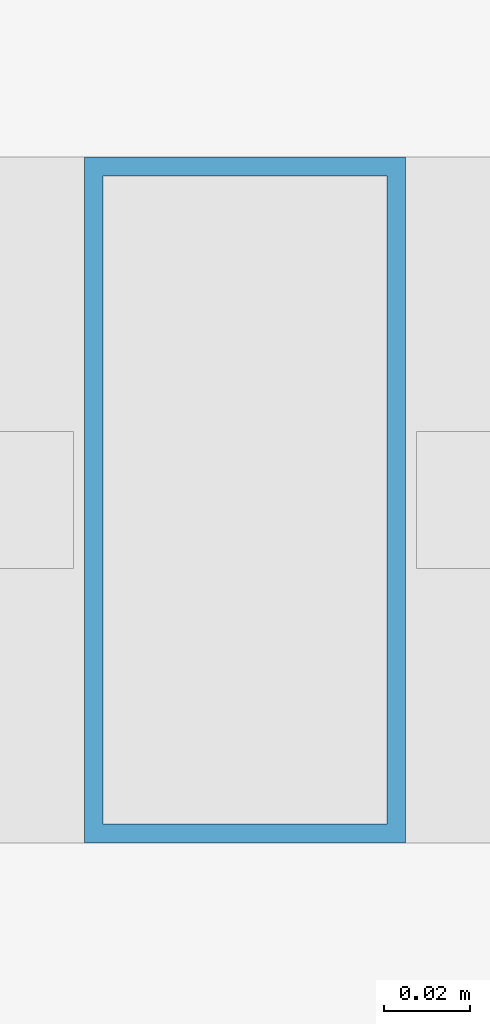
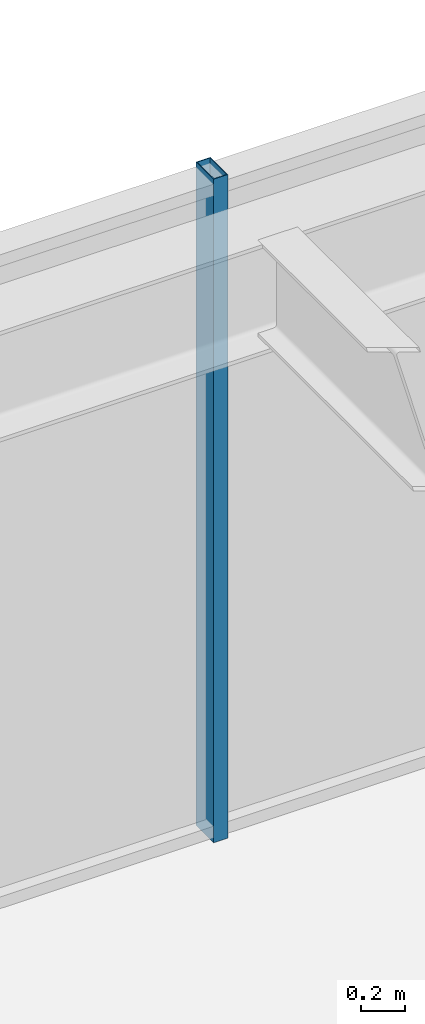
# One storey, part 26 of 39: 1 member, 1 element without a shape of its own.
"""IFC4 building model written with IfcOpenShell, lengths in metres."""

from ifc_helpers import new_model, si_unit, direction, frame, origin, origin_2d, place, context, subcontext, project, spatial, hollow_rectangle, extrude, material, material_profile, profile_set, type_object, element, aggregate, save


model = new_model("IFC4")

# Units and contexts
model_context = context("Model", 3, precision=1e-05, world=origin(), true_north=direction((0.0, 1.0)))
body_context = subcontext(model_context, "Body", "Model", "MODEL_VIEW")
ifc_project = project(units=[si_unit("LENGTHUNIT", "METRE"), si_unit("AREAUNIT", "SQUARE_METRE"), si_unit("VOLUMEUNIT", "CUBIC_METRE"), si_unit("PLANEANGLEUNIT", "RADIAN"), si_unit("MASSUNIT", "GRAM", prefix="KILO")], contexts=[model_context])

# Site, building, storey
site_placement = place(None, origin())
site = spatial("IfcSite", under=ifc_project, at=site_placement, CompositionType="ELEMENT")
building_placement = place(site_placement, origin())
building = spatial("IfcBuilding", under=site, at=building_placement, Name="Kolvaren Belvedere", CompositionType="ELEMENT")
storey_placement = place(building_placement, frame((0.0, 0.0, 15.199951171875)))
storey = spatial("IfcBuildingStorey", under=building, at=storey_placement, Name="L04", CompositionType="ELEMENT", Elevation=15.199951171875)

# Curtain wall, member
ifc_material_1 = material(Name="Anodised pale-metal aluminium AA 6063-T6", Category="aluminium")
curtain_wall_type = type_object("IfcCurtainWallType", Name="CW-POD-A", PredefinedType="NOTDEFINED", material=ifc_material_1)
curtain_wall_placement = place(storey_placement, origin())
curtain_wall = element("IfcCurtainWall", 1, at=curtain_wall_placement, inside=storey, type_object=curtain_wall_type, Name="L04 Unitised Curtain Wall FCW-L04-N", PredefinedType="NOTDEFINED")
ifc_material_2 = material(Name="Anodised pale-metal aluminium AA 6063-T6", Category="aluminium")
ifc_material_profile = material_profile(ifc_material_2, hollow_rectangle(XDim=0.074951171875, YDim=0.159912109375, WallThickness=0.00439453125, at=origin_2d()), Name="ALU-MUL-160X75")
ifc_profile_set = profile_set([ifc_material_profile], Name="Anodised pale-metal aluminium AA 6063-T6")
member_type = type_object("IfcMemberType", Name="CW-MUL-160", PredefinedType="MULLION", material=ifc_profile_set)
member_placement = place(storey_placement, frame((0.0, 28.280029296875, 0.0), z_axis=(0.0, 0.0, 1.0), x_axis=(1.0, 0.0, 0.0)))
member = element("IfcMember", 2, at=member_placement, type_object=member_type, Name="FCW-L04-N Unitised Mullion 3", PredefinedType="MULLION", context=body_context, shape_type="SweptSolid", body=[
    extrude(hollow_rectangle(XDim=0.074951171875, YDim=0.159912109375, WallThickness=0.00439453125, at=origin_2d()), origin(), (0.0, 0.0, 1.0), 3.699951171875),
])
aggregate(curtain_wall, [member])

save(model, "model.ifc")
